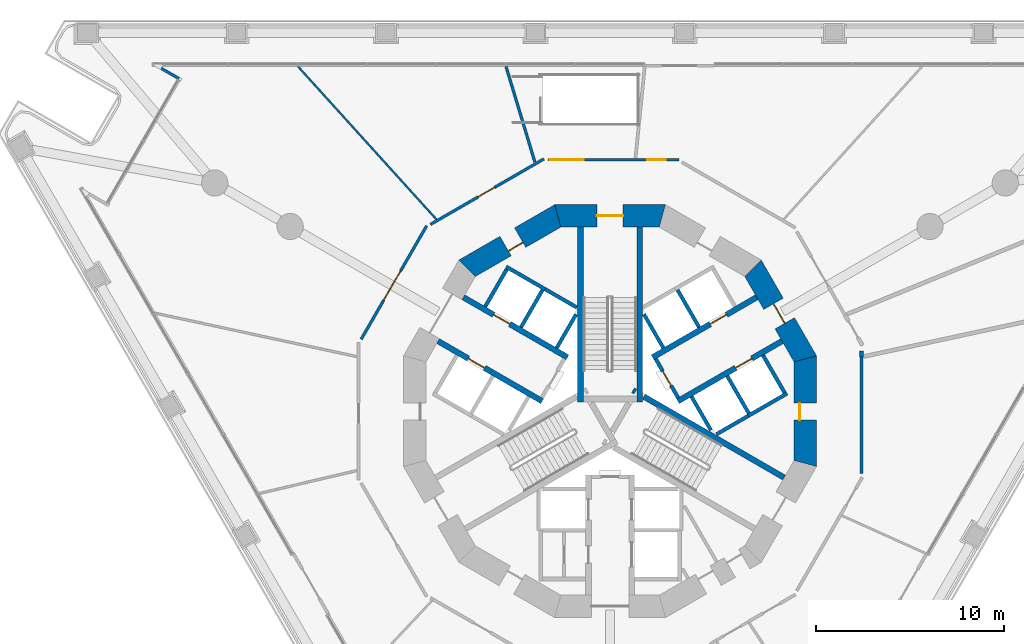
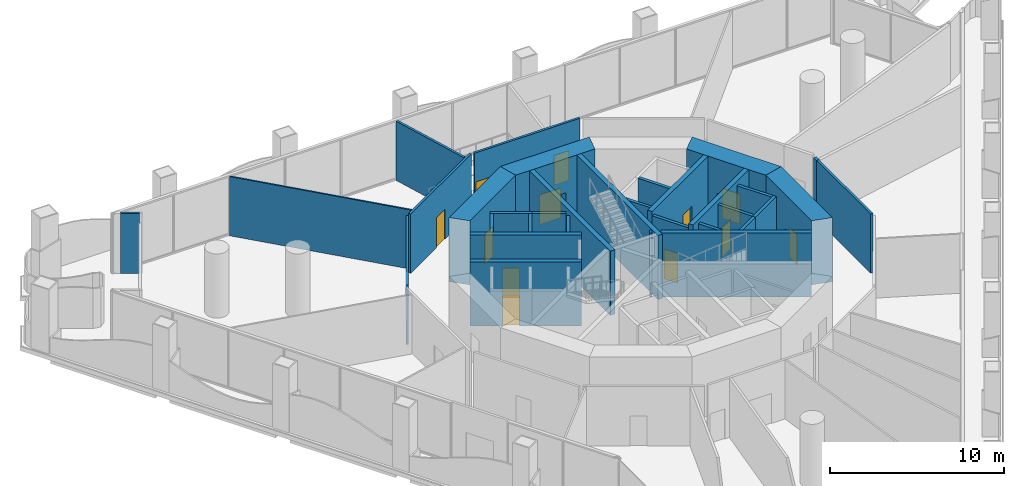
# One storey, part 12 of 21: 33 walls, 13 doors, 13 openings.
"""IFC4 building model written with IfcOpenShell, lengths in metres."""

from ifc_helpers import new_model, si_unit, direction, frame, frame_2d, origin, place, context, subcontext, project, spatial, polyline, rectangle, outline, extrude, material, layer, layer_set, type_object, element, fill, save


model = new_model("IFC4")

# Units and contexts
model_context = context("Model", 3, precision=1e-05, world=origin(), true_north=direction((0.0, 1.0)))
body_context = subcontext(model_context, "Body", "Model", "MODEL_VIEW")
ifc_project = project(units=[si_unit("LENGTHUNIT", "METRE"), si_unit("AREAUNIT", "SQUARE_METRE"), si_unit("VOLUMEUNIT", "CUBIC_METRE"), si_unit("PLANEANGLEUNIT", "RADIAN"), si_unit("MASSUNIT", "GRAM", prefix="KILO")], contexts=[model_context])

# Site, building, storey
site_placement = place(None, origin())
site = spatial("IfcSite", under=ifc_project, at=site_placement, CompositionType="ELEMENT")
building_placement = place(site_placement, origin())
building = spatial("IfcBuilding", under=site, at=building_placement, Name="Trine Commons Tower", CompositionType="ELEMENT")
storey_placement = place(building_placement, frame((0.0, 0.0, 27.0)))
storey = spatial("IfcBuildingStorey", under=building, at=storey_placement, Name="L05", CompositionType="ELEMENT", Elevation=27.0)

# Wall, opening, door
ifc_material_1 = material(Name="Plasterboard on steel stud", Category="steel")
ifc_layer_1 = layer(ifc_material_1, 0.14990234375)
ifc_layer_set_1 = layer_set([ifc_layer_1], Name="Plasterboard on steel stud")
wall_type_1 = type_object("IfcWallType", Name="Compartment wall 150 mm, EI 60", PredefinedType="PARTITIONING", material=ifc_layer_set_1)
wall_1_placement = place(storey_placement, frame((70.219482421875, 72.3828125, 0.0), z_axis=(0.0, 0.0, 1.0), x_axis=(-0.49997871953, -0.866037689721, 0.0)))
wall_1 = element("IfcWall", 1, at=wall_1_placement, inside=storey, type_object=wall_type_1, Name="Partition P5006", PredefinedType="PARTITIONING", context=body_context, shape_type="SweptSolid", body=[
    extrude(rectangle(XDim=6.982177734375, YDim=0.14990234375, at=frame_2d((3.4912109375, 0.0))), origin(), (0.0, 0.0, 1.0), 4.14990234375),
])
opening_1_placement = place(wall_1_placement, frame((2.7685546875, 0.0, 0.0)))
opening_1 = element("IfcOpeningElement", 2, at=opening_1_placement, cuts=wall_1, Name="Opening D-P503", PredefinedType="OPENING", context=body_context, shape_type="SweptSolid", body=[
    extrude(rectangle(XDim=1.800048828125, YDim=2.10009765625, at=frame_2d((0.89990234375, 1.050048828125))), frame((0.0, 0.0849609375, 0.0), z_axis=(0.0, -1.0, 0.0), x_axis=(1.0, 0.0, 0.0)), (0.0, 0.0, 1.0), 0.169921875),
])
ifc_material_2 = material(Name="Timber fire door set", Category="wood")
door_type_1 = type_object("IfcDoorType", Name="Double swing door 1800x2100, FD30S", OperationType="DOUBLE_DOOR_DOUBLE_SWING", PredefinedType="DOOR", material=ifc_material_2)
door_1_placement = place(opening_1_placement, origin())
door_1 = element("IfcDoor", 3, at=door_1_placement, inside=storey, type_object=door_type_1, Name="Door D-P503", OperationType="DOUBLE_DOOR_DOUBLE_SWING", OverallHeight=2.10009765625, OverallWidth=1.800048828125, PredefinedType="DOOR", context=body_context, shape_type="SweptSolid", body=[
    extrude(rectangle(XDim=1.800048828125, YDim=2.10009765625, at=frame_2d((0.89990234375, 1.050048828125))), frame((0.0, 0.02490234375, 0.0), z_axis=(0.0, -1.0, 0.0), x_axis=(1.0, 0.0, 0.0)), (0.0, 0.0, 1.0), 0.050048828125),
])
fill(opening_1, door_1)

wall_2_placement = place(storey_placement, frame((70.424560546875, 72.4580078125, 0.0), z_axis=(0.0, 0.0, 1.0), x_axis=(0.866037689721, 0.49997871953, 0.0)))
wall_2 = element("IfcWall", 4, at=wall_2_placement, inside=storey, type_object=wall_type_1, Name="Partition P5009", PredefinedType="PARTITIONING", context=body_context, shape_type="SweptSolid", body=[
    extrude(rectangle(XDim=6.982177734375, YDim=0.14990234375, at=frame_2d((3.4912109375, 0.0))), origin(), (0.0, 0.0, 1.0), 4.14990234375),
])
opening_2_placement = place(wall_2_placement, frame((2.942626953125, 0.0, 0.0)))
opening_2 = element("IfcOpeningElement", 5, at=opening_2_placement, cuts=wall_2, Name="Opening D-P504", PredefinedType="OPENING", context=body_context, shape_type="SweptSolid", body=[
    extrude(rectangle(XDim=1.0, YDim=2.10009765625, at=frame_2d((0.5, 1.050048828125))), frame((0.0, 0.0849609375, 0.0), z_axis=(0.0, -1.0, 0.0), x_axis=(1.0, 0.0, 0.0)), (0.0, 0.0, 1.0), 0.169921875),
])
door_type_2 = type_object("IfcDoorType", Name="Single swing door 1000x2100, FD30S", OperationType="SINGLE_SWING_LEFT", PredefinedType="DOOR", material=ifc_material_2)
door_2_placement = place(opening_2_placement, origin())
door_2 = element("IfcDoor", 6, at=door_2_placement, inside=storey, type_object=door_type_2, Name="Door D-P504", OperationType="SINGLE_SWING_LEFT", OverallHeight=2.10009765625, OverallWidth=1.0, PredefinedType="DOOR", context=body_context, shape_type="SweptSolid", body=[
    extrude(rectangle(XDim=1.0, YDim=2.10009765625, at=frame_2d((0.5, 1.050048828125))), frame((0.0, 0.02490234375, 0.0), z_axis=(0.0, -1.0, 0.0), x_axis=(1.0, 0.0, 0.0)), (0.0, 0.0, 1.0), 0.050048828125),
])
fill(opening_2, door_2)

# Wall
wall_3_placement = place(storey_placement, frame((74.451416015625, 80.884521484375, 0.0), z_axis=(0.0, 0.0, 1.0), x_axis=(0.288947597312, -0.95734491486, 0.0)))
element("IfcWall", 7, at=wall_3_placement, inside=storey, type_object=wall_type_1, Name="Partition P5012", PredefinedType="PARTITIONING", context=body_context, shape_type="SweptSolid", body=[
    extrude(rectangle(XDim=5.333251953125, YDim=0.14990234375, at=frame_2d((2.66650390625, 0.0))), origin(), (0.0, 0.0, 1.0), 4.14990234375),
])

# Wall, openings, doors
wall_4_placement = place(storey_placement, frame((76.686279296875, 75.91162109375, 0.0), z_axis=(0.0, 0.0, 1.0), x_axis=(1.0, 0.0, 0.0)))
wall_4 = element("IfcWall", 8, at=wall_4_placement, inside=storey, type_object=wall_type_1, Name="Partition P5015", PredefinedType="PARTITIONING", context=body_context, shape_type="SweptSolid", body=[
    extrude(rectangle(XDim=6.982421875, YDim=0.14990234375, at=frame_2d((3.4912109375, 0.0))), origin(), (0.0, 0.0, 1.0), 4.14990234375),
])
opening_3_placement = place(wall_4_placement, frame((0.10009765625, 0.0, 0.0)))
opening_3 = element("IfcOpeningElement", 9, at=opening_3_placement, cuts=wall_4, Name="Opening D-P509", PredefinedType="OPENING", context=body_context, shape_type="SweptSolid", body=[
    extrude(rectangle(XDim=1.800048828125, YDim=2.10009765625, at=frame_2d((0.89990234375, 1.050048828125))), frame((0.0, 0.0849609375, 0.0), z_axis=(0.0, -1.0, 0.0), x_axis=(1.0, 0.0, 0.0)), (0.0, 0.0, 1.0), 0.169921875),
])
opening_4_placement = place(wall_4_placement, frame((5.284912109375, 0.0, 0.0)))
opening_4 = element("IfcOpeningElement", 10, at=opening_4_placement, cuts=wall_4, Name="Opening D-P510", PredefinedType="OPENING", context=body_context, shape_type="SweptSolid", body=[
    extrude(rectangle(XDim=1.0, YDim=2.10009765625, at=frame_2d((0.5, 1.050048828125))), frame((0.0, 0.0849609375, 0.0), z_axis=(0.0, -1.0, 0.0), x_axis=(1.0, 0.0, 0.0)), (0.0, 0.0, 1.0), 0.169921875),
])
door_3_placement = place(opening_3_placement, origin())
door_3 = element("IfcDoor", 11, at=door_3_placement, inside=storey, type_object=door_type_1, Name="Door D-P509", OperationType="DOUBLE_DOOR_DOUBLE_SWING", OverallHeight=2.10009765625, OverallWidth=1.800048828125, PredefinedType="DOOR", context=body_context, shape_type="SweptSolid", body=[
    extrude(rectangle(XDim=1.800048828125, YDim=2.10009765625, at=frame_2d((0.89990234375, 1.050048828125))), frame((0.0, 0.02490234375, 0.0), z_axis=(0.0, -1.0, 0.0), x_axis=(1.0, 0.0, 0.0)), (0.0, 0.0, 1.0), 0.050048828125),
])
fill(opening_3, door_3)
door_4_placement = place(opening_4_placement, origin())
door_4 = element("IfcDoor", 12, at=door_4_placement, inside=storey, type_object=door_type_2, Name="Door D-P510", OperationType="SINGLE_SWING_LEFT", OverallHeight=2.10009765625, OverallWidth=1.0, PredefinedType="DOOR", context=body_context, shape_type="SweptSolid", body=[
    extrude(rectangle(XDim=1.0, YDim=2.10009765625, at=frame_2d((0.5, 1.050048828125))), frame((0.0, 0.02490234375, 0.0), z_axis=(0.0, -1.0, 0.0), x_axis=(1.0, 0.0, 0.0)), (0.0, 0.0, 1.0), 0.050048828125),
])
fill(opening_4, door_4)

# Walls
wall_5_placement = place(storey_placement, frame((93.41162109375, 59.186279296875, 0.0), z_axis=(0.0, 0.0, 1.0), x_axis=(0.0, 1.0, 0.0)))
element("IfcWall", 13, at=wall_5_placement, inside=storey, type_object=wall_type_1, Name="Partition P5032", PredefinedType="PARTITIONING", context=body_context, shape_type="SweptSolid", body=[
    extrude(rectangle(XDim=6.203125, YDim=0.14990234375, at=frame_2d((3.1015625, 0.0))), origin(), (0.0, 0.0, 1.0), 4.14990234375),
])
ifc_layer_2 = layer(ifc_material_1, 0.199951171875)
ifc_layer_set_2 = layer_set([ifc_layer_2], Name="Plasterboard on steel stud")
wall_type_2 = type_object("IfcWallType", Name="Fire wall 200 mm, EI 120", PredefinedType="PARTITIONING", material=ifc_layer_set_2)
wall_6_placement = place(storey_placement, frame((93.41162109375, 65.38916015625, 0.0), z_axis=(0.0, 0.0, 1.0), x_axis=(0.0, 1.0, 0.0)))
element("IfcWall", 14, at=wall_6_placement, inside=storey, type_object=wall_type_2, Name="Partition P5033", PredefinedType="PARTITIONING", context=body_context, shape_type="SweptSolid", body=[
    extrude(rectangle(XDim=0.331298828125, YDim=0.199951171875, at=frame_2d((0.16552734375, 0.0))), origin(), (0.0, 0.0, 1.0), 4.14990234375),
])
ifc_material_3 = material(Name="Aluminium-framed insulated wall panel", Category="aluminium")
ifc_layer_3 = layer(ifc_material_3, 0.14990234375)
ifc_layer_set_3 = layer_set([ifc_layer_3], Name="Aluminium-framed insulated wall panel")
wall_type_3 = type_object("IfcWallType", Name="Glazed frame wall 150, EI 60", PredefinedType="SOLIDWALL", material=ifc_layer_set_3)
wall_7_placement = place(storey_placement, frame((57.104248046875, 80.181884765625, 0.0), z_axis=(0.0, 0.0, 1.0), x_axis=(-0.86606770004, 0.49992673358, 0.0)))
element("IfcWall", 15, at=wall_7_placement, inside=storey, type_object=wall_type_3, Name="Glazed frame wall L05 R3", PredefinedType="SOLIDWALL", context=body_context, shape_type="SweptSolid", body=[
    extrude(outline(polyline([(0.110107421875, 0.074951171875), (0.110107421875, -0.074951171875), (1.19580078125, -0.074951171875), (1.19580078125, 0.074951171875), (0.110107421875, 0.074951171875)])), origin(), (0.0, 0.0, 1.0), 4.199951171875),
])

# Wall, opening, door
ifc_material_4 = material(Name="Fire-rated gypsum shaft wall system")
ifc_layer_4 = layer(ifc_material_4, 0.199951171875)
ifc_layer_set_4 = layer_set([ifc_layer_4], Name="Fire-rated gypsum shaft wall system")
wall_type_4 = type_object("IfcWallType", Name="Lobby end wall 200 mm, EI 120", PredefinedType="PARTITIONING", material=ifc_layer_set_4)
wall_8_placement = place(storey_placement, frame((83.631103515625, 63.2109375, 0.0), z_axis=(0.0, 0.0, 1.0), x_axis=(-0.50012165622, 0.865955154139, 0.0)))
wall_8 = element("IfcWall", 16, at=wall_8_placement, inside=storey, type_object=wall_type_4, Name="Lobby end wall L05", PredefinedType="PARTITIONING", context=body_context, shape_type="SweptSolid", body=[
    extrude(rectangle(XDim=2.39990234375, YDim=0.199951171875, at=frame_2d((1.199951171875, 0.0))), origin(), (0.0, 0.0, 1.0), 4.199951171875),
])
opening_5_placement = place(wall_8_placement, frame((0.749755859375, 0.0, 0.0)))
opening_5 = element("IfcOpeningElement", 17, at=opening_5_placement, cuts=wall_8, Name="Opening K04.05", PredefinedType="OPENING", context=body_context, shape_type="SweptSolid", body=[
    extrude(rectangle(XDim=0.89990234375, YDim=2.10009765625, at=frame_2d((0.449951171875, 1.050048828125))), frame((0.0, 0.10986328125, 0.0), z_axis=(0.0, -1.0, 0.0), x_axis=(1.0, 0.0, 0.0)), (0.0, 0.0, 1.0), 0.219970703125),
])
ifc_material_5 = material(Name="Steel door leaf, fire-rated", Category="steel")
door_type_3 = type_object("IfcDoorType", Name="Riser access door, single leaf 900 x 2100, FD60", OperationType="SINGLE_SWING_LEFT", PredefinedType="DOOR", material=ifc_material_5)
door_5_placement = place(opening_5_placement, frame((0.89990234375, 0.0, 0.0), z_axis=(0.0, 0.0, 1.0), x_axis=(-1.0, 0.0, 0.0)))
door_5 = element("IfcDoor", 18, at=door_5_placement, inside=storey, type_object=door_type_3, Name="Riser door, Electrical riser L05", OperationType="SINGLE_SWING_LEFT", OverallHeight=2.10009765625, OverallWidth=0.89990234375, PredefinedType="DOOR", context=body_context, shape_type="SweptSolid", body=[
    extrude(rectangle(XDim=0.89990234375, YDim=2.10009765625, at=frame_2d((0.449951171875, 1.050048828125))), frame((0.0, 0.02490234375, 0.0), z_axis=(0.0, -1.0, 0.0), x_axis=(1.0, 0.0, 0.0)), (0.0, 0.0, 1.0), 0.050048828125),
])
fill(opening_5, door_5)

# Wall
ifc_layer_5 = layer(ifc_material_1, 0.10009765625)
ifc_layer_set_5 = layer_set([ifc_layer_5], Name="Plasterboard on steel stud")
wall_type_5 = type_object("IfcWallType", Name="Partition wall 100 mm stud, not rated", PredefinedType="PARTITIONING", material=ifc_layer_set_5)
wall_9_placement = place(storey_placement, frame((63.354736328125, 80.884521484375, 0.0), z_axis=(0.0, 0.0, 1.0), x_axis=(0.671171464025, -0.741302142098, 0.0)))
element("IfcWall", 19, at=wall_9_placement, inside=storey, type_object=wall_type_5, Name="Partition P5003", PredefinedType="PARTITIONING", context=body_context, shape_type="SweptSolid", body=[
    extrude(rectangle(XDim=10.99365234375, YDim=0.10009765625, at=frame_2d((5.496826171875, 0.0))), origin(), (0.0, 0.0, 1.0), 4.14990234375),
])

# Wall, opening, door
ifc_material_6 = material(Name="Concrete C80/95", Category="concrete")
ifc_layer_6 = layer(ifc_material_6, 1.199951171875)
ifc_layer_set_6 = layer_set([ifc_layer_6], Name="Concrete C80/95")
wall_type_6 = type_object("IfcWallType", Name="RC shear wall 1200 mm, C80/95", PredefinedType="SHEAR", material=ifc_layer_set_6)
wall_10_placement = place(storey_placement, frame((90.41162109375, 59.549560546875, 0.0), z_axis=(0.0, 0.0, 1.0), x_axis=(0.0, 1.0, 0.0)))
wall_10 = element("IfcWall", 20, at=wall_10_placement, inside=storey, type_object=wall_type_6, Name="Core wall CWA-01 L05", PredefinedType="SHEAR", context=body_context, shape_type="SweptSolid", body=[
    extrude(outline(polyline([(0.0, -0.60009765625), (5.90087890625, -0.60009765625), (5.57958984375, 0.60009765625), (0.321533203125, 0.60009765625), (0.0, -0.60009765625)])), origin(), (0.0, 0.0, 1.0), 4.5),
])
opening_6_placement = place(wall_10_placement, frame((2.4755859375, 0.0, 0.0)))
opening_6 = element("IfcOpeningElement", 21, at=opening_6_placement, cuts=wall_10, Name="Opening K04.18", PredefinedType="OPENING", context=body_context, shape_type="SweptSolid", body=[
    extrude(rectangle(XDim=0.89990234375, YDim=2.10009765625, at=frame_2d((0.449951171875, 1.050048828125))), frame((0.0, 0.60986328125, 0.0), z_axis=(0.0, -1.0, 0.0), x_axis=(1.0, 0.0, 0.0)), (0.0, 0.0, 1.0), 1.219970703125),
])
door_type_4 = type_object("IfcDoorType", Name="Core room door, single leaf 900 x 2100, FD30S", OperationType="SINGLE_SWING_LEFT", PredefinedType="DOOR", material=ifc_material_5)
door_6_placement = place(opening_6_placement, origin())
door_6 = element("IfcDoor", 22, at=door_6_placement, inside=storey, type_object=door_type_4, Name="Door to Parcel store L05", OperationType="SINGLE_SWING_LEFT", OverallHeight=2.10009765625, OverallWidth=0.89990234375, PredefinedType="DOOR", context=body_context, shape_type="SweptSolid", body=[
    extrude(rectangle(XDim=0.89990234375, YDim=2.10009765625, at=frame_2d((0.449951171875, 1.050048828125))), frame((0.0, 0.3251953125, 0.0), z_axis=(0.0, -1.0, 0.0), x_axis=(1.0, 0.0, 0.0)), (0.0, 0.0, 1.0), 0.050048828125),
])
fill(opening_6, door_6)

wall_11_placement = place(storey_placement, frame((90.491943359375, 65.150390625, 0.0), z_axis=(0.0, 0.0, 1.0), x_axis=(-0.499979111662, 0.866037463336, 0.0)))
wall_11 = element("IfcWall", 23, at=wall_11_placement, inside=storey, type_object=wall_type_6, Name="Core wall CWA-02 L05", PredefinedType="SHEAR", context=body_context, shape_type="SweptSolid", body=[
    extrude(outline(polyline([(0.0, -0.60009765625), (5.901123046875, -0.60009765625), (5.57958984375, 0.60009765625), (0.321533203125, 0.60009765625), (0.0, -0.60009765625)])), origin(), (0.0, 0.0, 1.0), 4.5),
])
opening_7_placement = place(wall_11_placement, frame((2.3505859375, 0.0, 0.0)))
opening_7 = element("IfcOpeningElement", 24, at=opening_7_placement, cuts=wall_11, Name="Opening K04.04", PredefinedType="OPENING", context=body_context, shape_type="SweptSolid", body=[
    extrude(rectangle(XDim=1.199951171875, YDim=2.10009765625, at=frame_2d((0.60009765625, 1.050048828125))), frame((0.0, 0.60986328125, 0.0), z_axis=(0.0, -1.0, 0.0), x_axis=(1.0, 0.0, 0.0)), (0.0, 0.0, 1.0), 1.219970703125),
])
ifc_material_7 = material(Name="Steel door leaves, fire-rated", Category="steel")
door_type_5 = type_object("IfcDoorType", Name="Lobby door, double leaf 1200 x 2100, FD60", OperationType="DOUBLE_DOOR_SINGLE_SWING", PredefinedType="DOOR", material=ifc_material_7)
door_7_placement = place(opening_7_placement, origin())
door_7 = element("IfcDoor", 25, at=door_7_placement, inside=storey, type_object=door_type_5, Name="Lobby door, Passenger lift lobby A L05", OperationType="DOUBLE_DOOR_SINGLE_SWING", OverallHeight=2.10009765625, OverallWidth=1.199951171875, PredefinedType="DOOR", context=body_context, shape_type="SweptSolid", body=[
    extrude(rectangle(XDim=1.199951171875, YDim=2.10009765625, at=frame_2d((0.60009765625, 1.050048828125))), frame((0.0, 0.02490234375, 0.0), z_axis=(0.0, -1.0, 0.0), x_axis=(1.0, 0.0, 0.0)), (0.0, 0.0, 1.0), 0.050048828125),
])
fill(opening_7, door_7)

wall_12_placement = place(storey_placement, frame((82.950439453125, 72.91162109375, 0.0), z_axis=(0.0, 0.0, 1.0), x_axis=(-1.0, 0.0, 0.0)))
wall_12 = element("IfcWall", 26, at=wall_12_placement, inside=storey, type_object=wall_type_6, Name="Core wall CWA-04 L05", PredefinedType="SHEAR", context=body_context, shape_type="SweptSolid", body=[
    extrude(outline(polyline([(0.0, -0.60009765625), (5.90087890625, -0.60009765625), (5.57958984375, 0.60009765625), (0.321533203125, 0.60009765625), (0.0, -0.60009765625)])), origin(), (0.0, 0.0, 1.0), 4.5),
])
opening_8_placement = place(wall_12_placement, frame((2.25048828125, 0.0, 0.0)))
opening_8 = element("IfcOpeningElement", 27, at=opening_8_placement, cuts=wall_12, Name="Opening K04.01", PredefinedType="OPENING", context=body_context, shape_type="SweptSolid", body=[
    extrude(rectangle(XDim=1.39990234375, YDim=2.10009765625, at=frame_2d((0.699951171875, 1.050048828125))), frame((0.0, 0.60986328125, 0.0), z_axis=(0.0, -1.0, 0.0), x_axis=(1.0, 0.0, 0.0)), (0.0, 0.0, 1.0), 1.219970703125),
])
door_type_6 = type_object("IfcDoorType", Name="Stair door, double leaf 1400 x 2100, FD90", OperationType="DOUBLE_DOOR_SINGLE_SWING", PredefinedType="DOOR", material=ifc_material_7)
door_8_placement = place(opening_8_placement, origin())
door_8 = element("IfcDoor", 28, at=door_8_placement, inside=storey, type_object=door_type_6, Name="Stair door to Exit stair ST1A L05", OperationType="DOUBLE_DOOR_SINGLE_SWING", OverallHeight=2.10009765625, OverallWidth=1.39990234375, PredefinedType="DOOR", context=body_context, shape_type="SweptSolid", body=[
    extrude(rectangle(XDim=1.39990234375, YDim=2.10009765625, at=frame_2d((0.699951171875, 1.050048828125))), frame((0.0, 0.02490234375, 0.0), z_axis=(0.0, -1.0, 0.0), x_axis=(1.0, 0.0, 0.0)), (0.0, 0.0, 1.0), 0.050048828125),
])
fill(opening_8, door_8)

wall_13_placement = place(storey_placement, frame((77.349609375, 72.991943359375, 0.0), z_axis=(0.0, 0.0, 1.0), x_axis=(-0.866037463336, -0.499979111662, 0.0)))
wall_13 = element("IfcWall", 29, at=wall_13_placement, inside=storey, type_object=wall_type_6, Name="Core wall CWA-05 L05", PredefinedType="SHEAR", context=body_context, shape_type="SweptSolid", body=[
    extrude(outline(polyline([(0.0, -0.60009765625), (5.901123046875, -0.60009765625), (5.57958984375, 0.60009765625), (0.321533203125, 0.60009765625), (0.0, -0.60009765625)])), origin(), (0.0, 0.0, 1.0), 4.5),
])
opening_9_placement = place(wall_13_placement, frame((2.474853515625, 0.0, 0.0)))
opening_9 = element("IfcOpeningElement", 30, at=opening_9_placement, cuts=wall_13, Name="Opening K04.13", PredefinedType="OPENING", context=body_context, shape_type="SweptSolid", body=[
    extrude(rectangle(XDim=0.89990234375, YDim=2.10009765625, at=frame_2d((0.449951171875, 1.050048828125))), frame((0.0, 0.60986328125, 0.0), z_axis=(0.0, -1.0, 0.0), x_axis=(1.0, 0.0, 0.0)), (0.0, 0.0, 1.0), 1.219970703125),
])
door_9_placement = place(opening_9_placement, origin())
door_9 = element("IfcDoor", 31, at=door_9_placement, inside=storey, type_object=door_type_4, Name="Door to Comms room L05", OperationType="SINGLE_SWING_LEFT", OverallHeight=2.10009765625, OverallWidth=0.89990234375, PredefinedType="DOOR", context=body_context, shape_type="SweptSolid", body=[
    extrude(rectangle(XDim=0.89990234375, YDim=2.10009765625, at=frame_2d((0.449951171875, 1.050048828125))), frame((0.0, 0.3251953125, 0.0), z_axis=(0.0, -1.0, 0.0), x_axis=(1.0, 0.0, 0.0)), (0.0, 0.0, 1.0), 0.050048828125),
])
fill(opening_9, door_9)

ifc_layer_7 = layer(ifc_material_6, 0.300048828125)
ifc_layer_set_7 = layer_set([ifc_layer_7], Name="Concrete C80/95")
wall_type_7 = type_object("IfcWallType", Name="RC shear wall 300 mm, C80/95", PredefinedType="SHEAR", material=ifc_layer_set_7)
wall_14_placement = place(storey_placement, frame((76.381103515625, 63.031005859375, 0.0), z_axis=(0.0, 0.0, 1.0), x_axis=(-0.866032150378, 0.499988314375, 0.0)))
wall_14 = element("IfcWall", 32, at=wall_14_placement, inside=storey, type_object=wall_type_7, Name="Core cross wall SWA-01 L05", PredefinedType="SHEAR", context=body_context, shape_type="SweptSolid", body=[
    extrude(rectangle(XDim=6.412353515625, YDim=0.300048828125, at=frame_2d((3.2060546875, 0.0))), origin(), (0.0, 0.0, 1.0), 4.5),
])
opening_10_placement = place(wall_14_placement, frame((3.55029296875, 0.0, 0.0)))
opening_10 = element("IfcOpeningElement", 33, at=opening_10_placement, cuts=wall_14, Name="Opening LD3", PredefinedType="OPENING", context=body_context, shape_type="SweptSolid", body=[
    extrude(rectangle(XDim=1.0, YDim=2.10009765625, at=frame_2d((0.5, 1.050048828125))), frame((0.0, 0.159912109375, 0.0), z_axis=(0.0, -1.0, 0.0), x_axis=(1.0, 0.0, 0.0)), (0.0, 0.0, 1.0), 0.320068359375),
])
ifc_material_8 = material(Name="Stainless steel sliding door leaves", Category="steel")
door_type_7 = type_object("IfcDoorType", Name="Lift landing door, centre-opening sliding 1000 x 2100, FD90", OperationType="DOUBLE_DOOR_SLIDING", PredefinedType="DOOR", material=ifc_material_8)
door_10_placement = place(opening_10_placement, origin())
door_10 = element("IfcDoor", 34, at=door_10_placement, inside=storey, type_object=door_type_7, Name="Lift landing door LR3 L05", OperationType="DOUBLE_DOOR_SLIDING", OverallHeight=2.10009765625, OverallWidth=1.0, PredefinedType="DOOR", context=body_context, shape_type="SweptSolid", body=[
    extrude(rectangle(XDim=1.0, YDim=2.10009765625, at=frame_2d((0.5, 1.050048828125))), frame((0.0, 0.02490234375, 0.0), z_axis=(0.0, -1.0, 0.0), x_axis=(1.0, 0.0, 0.0)), (0.0, 0.0, 1.0), 0.050048828125),
])
fill(opening_10, door_10)

wall_15_placement = place(storey_placement, frame((77.73095703125, 65.368896484375, 0.0), z_axis=(0.0, 0.0, 1.0), x_axis=(-0.866022631842, 0.500004801114, 0.0)))
wall_15 = element("IfcWall", 35, at=wall_15_placement, inside=storey, type_object=wall_type_7, Name="Core cross wall SWA-02 L05", PredefinedType="SHEAR", context=body_context, shape_type="SweptSolid", body=[
    extrude(rectangle(XDim=6.412109375, YDim=0.300048828125, at=frame_2d((3.2060546875, 0.0))), origin(), (0.0, 0.0, 1.0), 4.5),
])
opening_11_placement = place(wall_15_placement, frame((3.55029296875, 0.0, 0.0)))
opening_11 = element("IfcOpeningElement", 36, at=opening_11_placement, cuts=wall_15, Name="Opening LD4", PredefinedType="OPENING", context=body_context, shape_type="SweptSolid", body=[
    extrude(rectangle(XDim=1.0, YDim=2.10009765625, at=frame_2d((0.5, 1.050048828125))), frame((0.0, 0.159912109375, 0.0), z_axis=(0.0, -1.0, 0.0), x_axis=(1.0, 0.0, 0.0)), (0.0, 0.0, 1.0), 0.320068359375),
])
door_11_placement = place(opening_11_placement, origin())
door_11 = element("IfcDoor", 37, at=door_11_placement, inside=storey, type_object=door_type_7, Name="Lift landing door LR4 L05", OperationType="DOUBLE_DOOR_SLIDING", OverallHeight=2.10009765625, OverallWidth=1.0, PredefinedType="DOOR", context=body_context, shape_type="SweptSolid", body=[
    extrude(rectangle(XDim=1.0, YDim=2.10009765625, at=frame_2d((0.5, 1.050048828125))), frame((0.0, 0.02490234375, 0.0), z_axis=(0.0, -1.0, 0.0), x_axis=(1.0, 0.0, 0.0)), (0.0, 0.0, 1.0), 0.050048828125),
])
fill(opening_11, door_11)

wall_16_placement = place(storey_placement, frame((82.26904296875, 65.368896484375, 0.0), z_axis=(0.0, 0.0, 1.0), x_axis=(0.866022631842, 0.500004801114, 0.0)))
wall_16 = element("IfcWall", 38, at=wall_16_placement, inside=storey, type_object=wall_type_7, Name="Core cross wall SWA-05 L05", PredefinedType="SHEAR", context=body_context, shape_type="SweptSolid", body=[
    extrude(rectangle(XDim=6.412109375, YDim=0.300048828125, at=frame_2d((3.2060546875, 0.0))), origin(), (0.0, 0.0, 1.0), 4.5),
])
opening_12_placement = place(wall_16_placement, frame((3.55029296875, 0.0, 0.0)))
opening_12 = element("IfcOpeningElement", 39, at=opening_12_placement, cuts=wall_16, Name="Opening LD1", PredefinedType="OPENING", context=body_context, shape_type="SweptSolid", body=[
    extrude(rectangle(XDim=1.0, YDim=2.10009765625, at=frame_2d((0.5, 1.050048828125))), frame((0.0, 0.159912109375, 0.0), z_axis=(0.0, -1.0, 0.0), x_axis=(1.0, 0.0, 0.0)), (0.0, 0.0, 1.0), 0.320068359375),
])
door_12_placement = place(opening_12_placement, origin())
door_12 = element("IfcDoor", 40, at=door_12_placement, inside=storey, type_object=door_type_7, Name="Lift landing door LR1 L05", OperationType="DOUBLE_DOOR_SLIDING", OverallHeight=2.10009765625, OverallWidth=1.0, PredefinedType="DOOR", context=body_context, shape_type="SweptSolid", body=[
    extrude(rectangle(XDim=1.0, YDim=2.10009765625, at=frame_2d((0.5, 1.050048828125))), frame((0.0, 0.02490234375, 0.0), z_axis=(0.0, -1.0, 0.0), x_axis=(1.0, 0.0, 0.0)), (0.0, 0.0, 1.0), 0.050048828125),
])
fill(opening_12, door_12)

wall_17_placement = place(storey_placement, frame((83.618896484375, 63.031005859375, 0.0), z_axis=(0.0, 0.0, 1.0), x_axis=(0.866032150378, 0.499988314375, 0.0)))
wall_17 = element("IfcWall", 41, at=wall_17_placement, inside=storey, type_object=wall_type_7, Name="Core cross wall SWA-06 L05", PredefinedType="SHEAR", context=body_context, shape_type="SweptSolid", body=[
    extrude(rectangle(XDim=6.412353515625, YDim=0.300048828125, at=frame_2d((3.2060546875, 0.0))), origin(), (0.0, 0.0, 1.0), 4.5),
])
opening_13_placement = place(wall_17_placement, frame((3.55029296875, 0.0, 0.0)))
opening_13 = element("IfcOpeningElement", 42, at=opening_13_placement, cuts=wall_17, Name="Opening LD2", PredefinedType="OPENING", context=body_context, shape_type="SweptSolid", body=[
    extrude(rectangle(XDim=1.0, YDim=2.10009765625, at=frame_2d((0.5, 1.050048828125))), frame((0.0, 0.159912109375, 0.0), z_axis=(0.0, -1.0, 0.0), x_axis=(1.0, 0.0, 0.0)), (0.0, 0.0, 1.0), 0.320068359375),
])
door_13_placement = place(opening_13_placement, origin())
door_13 = element("IfcDoor", 43, at=door_13_placement, inside=storey, type_object=door_type_7, Name="Lift landing door LR2 L05", OperationType="DOUBLE_DOOR_SLIDING", OverallHeight=2.10009765625, OverallWidth=1.0, PredefinedType="DOOR", context=body_context, shape_type="SweptSolid", body=[
    extrude(rectangle(XDim=1.0, YDim=2.10009765625, at=frame_2d((0.5, 1.050048828125))), frame((0.0, 0.02490234375, 0.0), z_axis=(0.0, -1.0, 0.0), x_axis=(1.0, 0.0, 0.0)), (0.0, 0.0, 1.0), 0.050048828125),
])
fill(opening_13, door_13)

# Walls
wall_18_placement = place(storey_placement, frame((78.425048828125, 63.0009765625, 0.0), z_axis=(0.0, 0.0, 1.0), x_axis=(0.0, 1.0, 0.0)))
element("IfcWall", 44, at=wall_18_placement, inside=storey, type_object=wall_type_7, Name="Core cross wall SWA-08 L05", PredefinedType="SHEAR", context=body_context, shape_type="SweptSolid", body=[
    extrude(rectangle(XDim=9.31103515625, YDim=0.300048828125, at=frame_2d((4.655517578125, 0.0))), origin(), (0.0, 0.0, 1.0), 4.5),
])
wall_19_placement = place(storey_placement, frame((81.220947265625, 63.614013671875, 0.0), z_axis=(0.0, 0.0, 1.0), x_axis=(0.867737973955, -0.497021939713, 0.0)))
element("IfcWall", 45, at=wall_19_placement, inside=storey, type_object=wall_type_7, Name="Core cross wall SWA-15 L05", PredefinedType="SHEAR", context=body_context, shape_type="SweptSolid", body=[
    extrude(rectangle(XDim=0.14892578125, YDim=0.300048828125, at=frame_2d((0.074462890625, 0.0))), origin(), (0.0, 0.0, 1.0), 4.5),
])
wall_20_placement = place(storey_placement, frame((81.574951171875, 63.0009765625, 0.0), z_axis=(0.0, 0.0, 1.0), x_axis=(0.0, 1.0, 0.0)))
element("IfcWall", 46, at=wall_20_placement, inside=storey, type_object=wall_type_7, Name="Core cross wall SWA-17 L05", PredefinedType="SHEAR", context=body_context, shape_type="SweptSolid", body=[
    extrude(rectangle(XDim=9.31103515625, YDim=0.300048828125, at=frame_2d((4.655517578125, 0.0))), origin(), (0.0, 0.0, 1.0), 4.5),
])
wall_21_placement = place(storey_placement, frame((81.800048828125, 63.280029296875, 0.0), z_axis=(0.0, 0.0, 1.0), x_axis=(0.865965399159, -0.500103916661, 0.0)))
element("IfcWall", 47, at=wall_21_placement, inside=storey, type_object=wall_type_7, Name="Core cross wall SWA-18 L05", PredefinedType="SHEAR", context=body_context, shape_type="SweptSolid", body=[
    extrude(rectangle(XDim=8.642333984375, YDim=0.300048828125, at=frame_2d((4.3212890625, 0.0))), origin(), (0.0, 0.0, 1.0), 4.5),
])
ifc_layer_8 = layer(ifc_material_4, 0.199951171875)
ifc_layer_set_8 = layer_set([ifc_layer_8], Name="Fire-rated gypsum shaft wall system")
wall_type_8 = type_object("IfcWallType", Name="Shaft wall 200 mm, EI 120", PredefinedType="PARTITIONING", material=ifc_layer_set_8)
wall_22_placement = place(storey_placement, frame((73.344970703125, 68.073974609375, 0.0), z_axis=(0.0, 0.0, 1.0), x_axis=(0.500215680983, 0.865900844496, 0.0)))
element("IfcWall", 48, at=wall_22_placement, inside=storey, type_object=wall_type_8, Name="Shaft wall L05", PredefinedType="PARTITIONING", context=body_context, shape_type="SweptSolid", body=[
    extrude(rectangle(XDim=2.29931640625, YDim=0.199951171875, at=frame_2d((1.149658203125, 0.0))), origin(), (0.0, 0.0, 1.0), 4.199951171875),
])
wall_23_placement = place(storey_placement, frame((75.2509765625, 66.97412109375, 0.0), z_axis=(0.0, 0.0, 1.0), x_axis=(0.500136062276, 0.86594683394, 0.0)))
element("IfcWall", 49, at=wall_23_placement, inside=storey, type_object=wall_type_8, Name="Shaft wall L05", PredefinedType="PARTITIONING", context=body_context, shape_type="SweptSolid", body=[
    extrude(rectangle(XDim=2.299072265625, YDim=0.199951171875, at=frame_2d((1.1494140625, 0.0))), origin(), (0.0, 0.0, 1.0), 4.199951171875),
])
wall_24_placement = place(storey_placement, frame((76.5380859375, 69.001953125, 0.0), z_axis=(0.0, 0.0, 1.0), x_axis=(-0.866202511239, 0.499693115345, 0.0)))
element("IfcWall", 50, at=wall_24_placement, inside=storey, type_object=wall_type_8, Name="Shaft wall L05", PredefinedType="PARTITIONING", context=body_context, shape_type="SweptSolid", body=[
    extrude(rectangle(XDim=2.4013671875, YDim=0.199951171875, at=frame_2d((1.20068359375, 0.0))), origin(), (0.0, 0.0, 1.0), 4.199951171875),
])
wall_25_placement = place(storey_placement, frame((77.156005859375, 65.8740234375, 0.0), z_axis=(0.0, 0.0, 1.0), x_axis=(0.499865770674, 0.866102887253, 0.0)))
element("IfcWall", 51, at=wall_25_placement, inside=storey, type_object=wall_type_8, Name="Shaft wall L05", PredefinedType="PARTITIONING", context=body_context, shape_type="SweptSolid", body=[
    extrude(rectangle(XDim=2.064453125, YDim=0.199951171875, at=frame_2d((1.0322265625, 0.0))), origin(), (0.0, 0.0, 1.0), 4.199951171875),
])
wall_26_placement = place(storey_placement, frame((78.22509765625, 68.028076171875, 0.0), z_axis=(0.0, 0.0, 1.0), x_axis=(-0.866052014814, 0.499953905513, 0.0)))
element("IfcWall", 52, at=wall_26_placement, inside=storey, type_object=wall_type_8, Name="Shaft wall L05", PredefinedType="PARTITIONING", context=body_context, shape_type="SweptSolid", body=[
    extrude(rectangle(XDim=1.947998046875, YDim=0.199951171875, at=frame_2d((0.97412109375, 0.0))), origin(), (0.0, 0.0, 1.0), 4.199951171875),
])
wall_27_placement = place(storey_placement, frame((82.843994140625, 65.8740234375, 0.0), z_axis=(0.0, 0.0, 1.0), x_axis=(-0.499865770674, 0.866102887253, 0.0)))
element("IfcWall", 53, at=wall_27_placement, inside=storey, type_object=wall_type_8, Name="Shaft wall L05", PredefinedType="PARTITIONING", context=body_context, shape_type="SweptSolid", body=[
    extrude(rectangle(XDim=2.064453125, YDim=0.199951171875, at=frame_2d((1.0322265625, 0.0))), origin(), (0.0, 0.0, 1.0), 4.199951171875),
])
wall_28_placement = place(storey_placement, frame((84.343994140625, 63.27587890625, 0.0), z_axis=(0.0, 0.0, 1.0), x_axis=(0.500271688072, -0.86586848777, 0.0)))
element("IfcWall", 54, at=wall_28_placement, inside=storey, type_object=wall_type_8, Name="Shaft wall L05", PredefinedType="PARTITIONING", context=body_context, shape_type="SweptSolid", body=[
    extrude(rectangle(XDim=2.064697265625, YDim=0.199951171875, at=frame_2d((1.0322265625, 0.0))), origin(), (0.0, 0.0, 1.0), 4.199951171875),
])
wall_29_placement = place(storey_placement, frame((84.7490234375, 66.97412109375, 0.0), z_axis=(0.0, 0.0, 1.0), x_axis=(-0.500136062276, 0.86594683394, 0.0)))
element("IfcWall", 55, at=wall_29_placement, inside=storey, type_object=wall_type_8, Name="Shaft wall L05", PredefinedType="PARTITIONING", context=body_context, shape_type="SweptSolid", body=[
    extrude(rectangle(XDim=2.299072265625, YDim=0.199951171875, at=frame_2d((1.1494140625, 0.0))), origin(), (0.0, 0.0, 1.0), 4.199951171875),
])
wall_30_placement = place(storey_placement, frame((85.675048828125, 61.27294921875, 0.0), z_axis=(0.0, 0.0, 1.0), x_axis=(0.865780634835, 0.500423712812, 0.0)))
element("IfcWall", 56, at=wall_30_placement, inside=storey, type_object=wall_type_8, Name="Shaft wall L05", PredefinedType="PARTITIONING", context=body_context, shape_type="SweptSolid", body=[
    extrude(rectangle(XDim=1.948486328125, YDim=0.199951171875, at=frame_2d((0.97412109375, 0.0))), origin(), (0.0, 0.0, 1.0), 4.199951171875),
])
wall_31_placement = place(storey_placement, frame((86.2490234375, 64.3759765625, 0.0), z_axis=(0.0, 0.0, 1.0), x_axis=(0.500136062276, -0.86594683394, 0.0)))
element("IfcWall", 57, at=wall_31_placement, inside=storey, type_object=wall_type_8, Name="Shaft wall L05", PredefinedType="PARTITIONING", context=body_context, shape_type="SweptSolid", body=[
    extrude(rectangle(XDim=2.299072265625, YDim=0.199951171875, at=frame_2d((1.1494140625, 0.0))), origin(), (0.0, 0.0, 1.0), 4.199951171875),
])
wall_32_placement = place(storey_placement, frame((87.362060546875, 62.248046875, 0.0), z_axis=(0.0, 0.0, 1.0), x_axis=(0.866177122335, 0.499737123639, 0.0)))
element("IfcWall", 58, at=wall_32_placement, inside=storey, type_object=wall_type_8, Name="Shaft wall L05", PredefinedType="PARTITIONING", context=body_context, shape_type="SweptSolid", body=[
    extrude(rectangle(XDim=2.401123046875, YDim=0.199951171875, at=frame_2d((1.20068359375, 0.0))), origin(), (0.0, 0.0, 1.0), 4.199951171875),
])
wall_33_placement = place(storey_placement, frame((88.155029296875, 65.47607421875, 0.0), z_axis=(0.0, 0.0, 1.0), x_axis=(0.500136062276, -0.86594683394, 0.0)))
element("IfcWall", 59, at=wall_33_placement, inside=storey, type_object=wall_type_8, Name="Shaft wall L05", PredefinedType="PARTITIONING", context=body_context, shape_type="SweptSolid", body=[
    extrude(rectangle(XDim=2.299072265625, YDim=0.199951171875, at=frame_2d((1.1494140625, 0.0))), origin(), (0.0, 0.0, 1.0), 4.199951171875),
])

save(model, "model.ifc")
